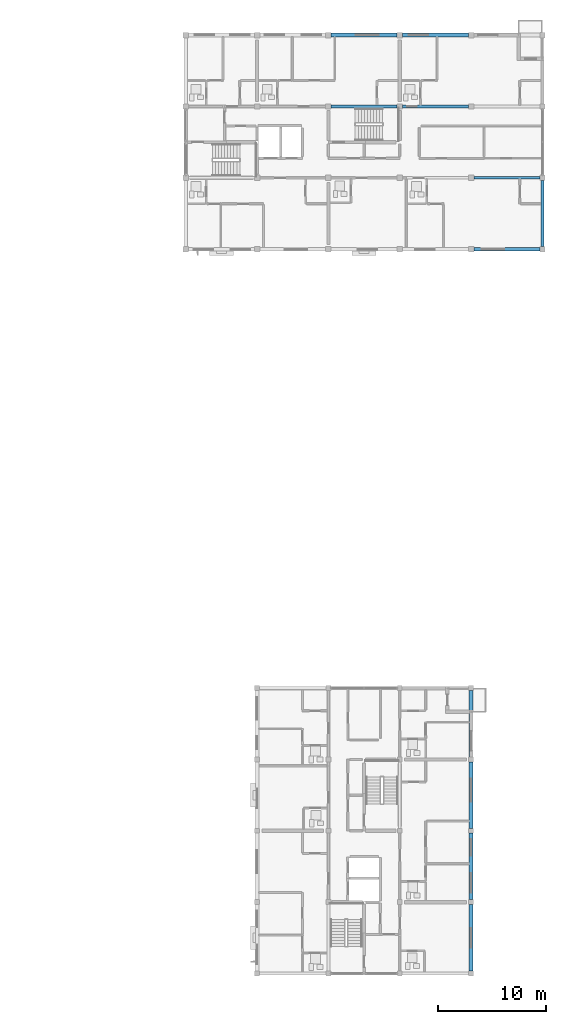
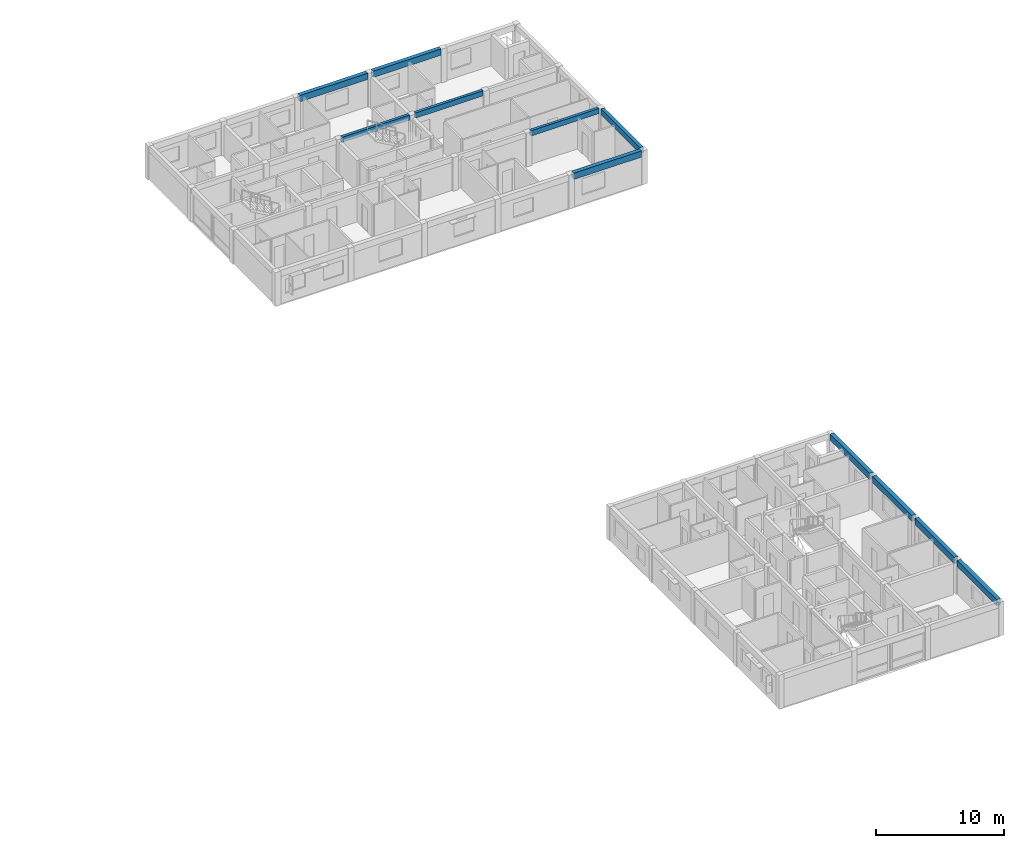
# One storey, part 22 of 53: 11 beams.
"""IFC4 building model written with IfcOpenShell, lengths in metres."""

import ifcopenshell
import ifcopenshell.guid

model = None  # the IFC model being written
_history = None  # IfcOwnerHistory: only IFC2X3 demands one
_inside = {}  # id of a spatial element -> (the spatial element, [elements in it])
_under = {}  # id of a project, library or spatial element -> (it, [spatial elements below it])
_declared = {}  # id of a project -> (the project, [libraries it declares])
_typed = {}  # id of a type object -> (the type object, [elements of that type])
_made_of = {}  # id of a material, layer set ... -> (it, [elements and type objects made of it])


def new_model(schema):
    """Start an empty IFC model of exactly this schema.

    Asked for "IFC4X3", IfcOpenShell would pick the latest addendum, in which some entities
    have other attributes; the version numbers below select the first issue.
    IFC2X3 requires an IfcOwnerHistory on every rooted entity: one is made here for all.
    """
    global model, _history
    if schema == "IFC4X3":
        model = ifcopenshell.file(schema_version=(4, 3, 0, 0))
    else:
        model = ifcopenshell.file(schema=schema)
    _inside.clear()
    _under.clear()
    _declared.clear()
    _typed.clear()
    _made_of.clear()
    _history = None
    if model.schema == "IFC2X3":
        org = make("IfcOrganization", Name="unknown")
        user = make(
            "IfcPersonAndOrganization",
            ThePerson=make("IfcPerson", FamilyName="unknown"),
            TheOrganization=org,
        )
        app = make(
            "IfcApplication",
            ApplicationDeveloper=org,
            Version="unknown",
            ApplicationFullName="unknown",
            ApplicationIdentifier="unknown",
        )
        _history = make(
            "IfcOwnerHistory",
            OwningUser=user,
            OwningApplication=app,
            ChangeAction="ADDED",
            CreationDate=0,
        )
    return model


def make(cls, **values):
    """One entity of the class cls with the attributes given. An attribute that is None is left unset."""
    return model.create_entity(
        cls, **{name: value for name, value in values.items() if value is not None}
    )


def rooted(cls, **values):
    """An entity with a GlobalId (a new one), such as an element, a storey or a relation."""
    return make(cls, GlobalId=ifcopenshell.guid.new(), OwnerHistory=_history, **values)


def si_unit(unit_type, name, prefix=None):
    """IfcSIUnit, for example si_unit("LENGTHUNIT", "METRE", prefix="MILLI")."""
    return make("IfcSIUnit", UnitType=unit_type, Prefix=prefix, Name=name)


def assignment(units):
    """IfcUnitAssignment: the units of a project."""
    return None if units is None else make("IfcUnitAssignment", Units=units)


def point(xyz):
    """IfcCartesianPoint."""
    return None if xyz is None else make("IfcCartesianPoint", Coordinates=xyz)


def direction(xyz):
    """IfcDirection."""
    return None if xyz is None else make("IfcDirection", DirectionRatios=xyz)


def frame(location, z_axis=None, x_axis=None):
    """IfcAxis2Placement3D, a coordinate frame: its origin and axes. An axis left out is left unset."""
    return make(
        "IfcAxis2Placement3D",
        Location=point(location),
        Axis=direction(z_axis),
        RefDirection=direction(x_axis),
    )


def frame_2d(location, x_axis=None):
    """IfcAxis2Placement2D, a coordinate frame in the plane: its origin and x axis."""
    return make(
        "IfcAxis2Placement2D", Location=point(location), RefDirection=direction(x_axis)
    )


def origin():
    """The frame at (0, 0, 0) with its axes left unset."""
    return frame((0.0, 0.0, 0.0))


def origin_2d():
    """The frame at (0, 0) in the plane with its x axis left unset."""
    return frame_2d((0.0, 0.0))


def place(relative_to, where):
    """IfcLocalPlacement: puts the frame where relative to a parent placement (None: the world)."""
    return make(
        "IfcLocalPlacement", PlacementRelTo=relative_to, RelativePlacement=where
    )


def context(
    kind, dimensions, precision=None, world=None, true_north=None, identifier=None
):
    """IfcGeometricRepresentationContext, for example the 3D "Model" context."""
    return make(
        "IfcGeometricRepresentationContext",
        ContextIdentifier=identifier,
        ContextType=kind,
        CoordinateSpaceDimension=dimensions,
        Precision=precision,
        WorldCoordinateSystem=world,
        TrueNorth=true_north,
    )


def subcontext(parent, identifier, kind, view, scale=None):
    """IfcGeometricRepresentationSubContext, for example "Body" below "Model"."""
    return make(
        "IfcGeometricRepresentationSubContext",
        ContextIdentifier=identifier,
        ContextType=kind,
        ParentContext=parent,
        TargetScale=scale,
        TargetView=view,
    )


def project(units=None, contexts=None):
    """IfcProject with its units and contexts."""
    return rooted(
        "IfcProject",
        Name="project",
        RepresentationContexts=contexts,
        UnitsInContext=assignment(units),
    )


def spatial(cls, under=None, at=None, **own):
    """A site, building, storey or space (cls), placed at a placement, below another one or the project."""
    s = rooted(cls, ObjectPlacement=at, **own)
    if under is not None:
        _under.setdefault(under.id(), (under, []))[1].append(s)
    return s


def profile(cls, at=None, kind="AREA", **sizes):
    """A parametric profile (cls). Its sizes go by their IFC names, for example OverallWidth=200.0."""
    return make(cls, ProfileType=kind, Position=at, **sizes)


def rectangle(**sizes):
    """IfcRectangleProfileDef."""
    return profile("IfcRectangleProfileDef", **sizes)


def extrude(swept, where, along, depth):
    """IfcExtrudedAreaSolid: the profile swept, set in the frame where, extruded along a direction by depth."""
    return make(
        "IfcExtrudedAreaSolid",
        SweptArea=swept,
        Position=where,
        ExtrudedDirection=direction(along),
        Depth=depth,
    )


def shape(context_of_items, identifier, shape_type, items):
    """IfcShapeRepresentation: the items that make up one representation, for example the "Body"."""
    return make(
        "IfcShapeRepresentation",
        ContextOfItems=context_of_items,
        RepresentationIdentifier=identifier,
        RepresentationType=shape_type,
        Items=items,
    )


def material(Name=None, Category=None):
    """IfcMaterial."""
    return make("IfcMaterial", Name=Name, Category=Category)


def material_profile(
    of_material, cross_section, Name=None, Category=None, Priority=None
):
    """IfcMaterialProfile: a cross section and its material."""
    return make(
        "IfcMaterialProfile",
        Name=Name,
        Material=of_material,
        Profile=cross_section,
        Priority=Priority,
        Category=Category,
    )


def profile_set(profiles, Name=None, composite=None):
    """IfcMaterialProfileSet."""
    return make(
        "IfcMaterialProfileSet",
        Name=Name,
        MaterialProfiles=profiles,
        CompositeProfile=composite,
    )


def made_of(thing, what):
    """Note that an element or type object is made of a material, layer set ...; save() writes the relation."""
    if what is not None:
        _made_of.setdefault(what.id(), (what, []))[1].append(thing)
    return thing


def type_object(cls, material=None, **own):
    """A type object (cls), such as IfcWallType, which elements share."""
    return made_of(rooted(cls, **own), material)


def element(
    cls,
    number,
    at=None,
    inside=None,
    cuts=None,
    type_object=None,
    material=None,
    context=None,
    identifier="Body",
    shape_type=None,
    held_by="IfcProductDefinitionShape",
    body=None,
    shapes=None,
    **own,
):
    """One element of the class cls, such as IfcWall. Its Tag is "e" and its number.

    at: its placement. inside: the storey or other place that contains it. cuts: it is an
    opening in that element (IfcRelVoidsElement). A single representation is given by context,
    identifier, shape_type and body (its items); several are given by shapes. held_by: the class
    of the entity that holds the representations. save() writes the other relations.
    """
    e = rooted(cls, Tag="e%d" % number, ObjectPlacement=at, **own)
    if body is not None:
        shapes = [shape(context, identifier, shape_type, body)]
    if shapes is not None:
        e.Representation = make(held_by, Representations=shapes)
    if inside is not None:
        _inside.setdefault(inside.id(), (inside, []))[1].append(e)
    if cuts is not None:
        rooted(
            "IfcRelVoidsElement", RelatingBuildingElement=cuts, RelatedOpeningElement=e
        )
    if type_object is not None:
        _typed.setdefault(type_object.id(), (type_object, []))[1].append(e)
    return made_of(e, material)


def aggregate(whole, parts):
    """IfcRelAggregates: a whole, such as a stair, and the parts it consists of."""
    return rooted("IfcRelAggregates", RelatingObject=whole, RelatedObjects=parts)


def save(model, path):
    """Write the relations noted so far, then the file.

    IfcRelAggregates (storeys below a building ...), IfcRelContainedInSpatialStructure (elements
    in a storey), IfcRelDefinesByType, IfcRelAssociatesMaterial and IfcRelDeclares: one each for
    every whole, place, type object, material and project.
    """
    for whole, parts in _under.values():
        aggregate(whole, parts)
    for where, things in _inside.values():
        rooted(
            "IfcRelContainedInSpatialStructure",
            RelatedElements=things,
            RelatingStructure=where,
        )
    for kind, things in _typed.values():
        rooted("IfcRelDefinesByType", RelatedObjects=things, RelatingType=kind)
    for what, things in _made_of.values():
        rooted("IfcRelAssociatesMaterial", RelatedObjects=things, RelatingMaterial=what)
    for by, libraries in _declared.values():
        rooted("IfcRelDeclares", RelatingContext=by, RelatedDefinitions=libraries)
    model.write(path)


model = new_model("IFC4")

# Units and contexts
model_context = context("Model", 3, precision=1e-05, world=origin(), true_north=direction((0.0, 1.0)))
body_context = subcontext(model_context, "Body", "Model", "MODEL_VIEW")
ifc_project = project(units=[si_unit("LENGTHUNIT", "METRE"), si_unit("AREAUNIT", "SQUARE_METRE"), si_unit("VOLUMEUNIT", "CUBIC_METRE"), si_unit("PLANEANGLEUNIT", "RADIAN"), si_unit("MASSUNIT", "GRAM", prefix="KILO")], contexts=[model_context])

# Site, building, storey
site_placement = place(None, origin())
site = spatial("IfcSite", under=ifc_project, at=site_placement, CompositionType="ELEMENT")
building_placement = place(site_placement, origin())
building = spatial("IfcBuilding", under=site, at=building_placement, Name="Kernevlak Ridge Housing Community", CompositionType="ELEMENT")
storey_placement = place(building_placement, frame((0.0, 0.0, 24.39990234375)))
storey = spatial("IfcBuildingStorey", under=building, at=storey_placement, Name="L07", CompositionType="ELEMENT", Elevation=24.39990234375)

# Beams
ifc_material = material(Name="Concrete C35/45", Category="concrete")
ifc_material_profile_1 = material_profile(ifc_material, rectangle(XDim=0.25, YDim=0.5, at=origin_2d()), Name="RC 250x500")
ifc_profile_set_1 = profile_set([ifc_material_profile_1], Name="Concrete C35/45")
beam_type_1 = type_object("IfcBeamType", Name="B-06", PredefinedType="T_BEAM", material=ifc_profile_set_1)
for number, where, z_axis, x_axis, name in (
    (1, (146.050048828125, 89.199951171875, 2.9501953125), (1.0, 0.0, 0.0), (0.0, 1.0, 0.0), "Beam B-06 L07 768"),
    (2, (132.85009765625, 95.800048828125, 2.9501953125), (1.0, 0.0, 0.0), (0.0, 1.0, 0.0), "Beam B-06 L07 771"),
):
    element("IfcBeam", number, at=place(storey_placement, frame(where, z_axis=z_axis, x_axis=x_axis)), inside=storey, type_object=beam_type_1, Name=name, PredefinedType="T_BEAM", context=body_context, shape_type="SweptSolid", body=[
        extrude(rectangle(XDim=0.25, YDim=0.5, at=origin_2d()), origin(), (0.0, 0.0, 1.0), 6.099853515625),
    ])
beam_1_placement = place(storey_placement, frame((139.449951171875, 95.800048828125, 2.9501953125), z_axis=(1.0, 0.0, 0.0), x_axis=(0.0, 1.0, 0.0)))
element("IfcBeam", 3, at=beam_1_placement, inside=storey, type_object=beam_type_1, Name="Beam B-06 L07 772", PredefinedType="T_BEAM", context=body_context, shape_type="SweptSolid", body=[
    extrude(rectangle(XDim=0.25, YDim=0.5, at=origin_2d()), origin(), (0.0, 0.0, 1.0), 6.10009765625),
])
ifc_material_profile_2 = material_profile(ifc_material, rectangle(XDim=0.300048828125, YDim=0.550048828125, at=origin_2d()), Name="RC 300x550")
ifc_profile_set_2 = profile_set([ifc_material_profile_2], Name="Concrete C35/45")
beam_type_2 = type_object("IfcBeamType", Name="SP-01", PredefinedType="SPANDREL", material=ifc_profile_set_2)
beam_2_placement = place(storey_placement, frame((152.39990234375, 82.85009765625, 2.925048828125), z_axis=(0.0, 1.0, 0.0), x_axis=(-1.0, 0.0, 0.0)))
element("IfcBeam", 4, at=beam_2_placement, inside=storey, type_object=beam_type_2, Name="Beam SP-01 L07 782", PredefinedType="SPANDREL", context=body_context, shape_type="SweptSolid", body=[
    extrude(rectangle(XDim=0.300048828125, YDim=0.550048828125, at=origin_2d()), origin(), (0.0, 0.0, 1.0), 6.099853515625),
])
ifc_material_profile_3 = material_profile(ifc_material, rectangle(XDim=0.35009765625, YDim=0.60009765625, at=origin_2d()), Name="RC 350x600")
ifc_profile_set_3 = profile_set([ifc_material_profile_3], Name="Concrete C35/45")
beam_type_3 = type_object("IfcBeamType", Name="SP-03", PredefinedType="SPANDREL", material=ifc_profile_set_3)
for number, where, z_axis, x_axis, name in (
    (5, (146.050048828125, 82.60009765625, 2.900146484375), (1.0, 0.0, 0.0), (0.0, 1.0, 0.0), "Beam SP-03 L07 763"),
    (6, (132.85009765625, 102.39990234375, 2.900146484375), (1.0, 0.0, 0.0), (0.0, 1.0, 0.0), "Beam SP-03 L07 776"),
):
    element("IfcBeam", number, at=place(storey_placement, frame(where, z_axis=z_axis, x_axis=x_axis)), inside=storey, type_object=beam_type_3, Name=name, PredefinedType="SPANDREL", context=body_context, shape_type="SweptSolid", body=[
        extrude(rectangle(XDim=0.35009765625, YDim=0.60009765625, at=origin_2d()), origin(), (0.0, 0.0, 1.0), 6.099853515625),
    ])
beam_3_placement = place(storey_placement, frame((139.449951171875, 102.39990234375, 2.900146484375), z_axis=(1.0, 0.0, 0.0), x_axis=(0.0, 1.0, 0.0)))
element("IfcBeam", 7, at=beam_3_placement, inside=storey, type_object=beam_type_3, Name="Beam SP-03 L07 777", PredefinedType="SPANDREL", context=body_context, shape_type="SweptSolid", body=[
    extrude(rectangle(XDim=0.35009765625, YDim=0.60009765625, at=origin_2d()), origin(), (0.0, 0.0, 1.0), 6.10009765625),
])
beam_4_placement = place(storey_placement, frame((145.800048828125, 15.824951171875, 2.900146484375), z_axis=(0.0, 1.0, 0.0), x_axis=(-1.0, 0.0, 0.0)))
element("IfcBeam", 8, at=beam_4_placement, inside=storey, type_object=beam_type_3, Name="Beam SP-03 L07 1168", PredefinedType="SPANDREL", context=body_context, shape_type="SweptSolid", body=[
    extrude(rectangle(XDim=0.35009765625, YDim=0.60009765625, at=origin_2d()), origin(), (0.0, 0.0, 1.0), 6.150146484375),
])
beam_5_placement = place(storey_placement, frame((145.800048828125, 22.425048828125, 2.900146484375), z_axis=(0.0, 1.0, 0.0), x_axis=(-1.0, 0.0, 0.0)))
element("IfcBeam", 9, at=beam_5_placement, inside=storey, type_object=beam_type_3, Name="Beam SP-03 L07 1169", PredefinedType="SPANDREL", context=body_context, shape_type="SweptSolid", body=[
    extrude(rectangle(XDim=0.35009765625, YDim=0.60009765625, at=origin_2d()), origin(), (0.0, 0.0, 1.0), 6.14990234375),
])
beam_6_placement = place(storey_placement, frame((145.800048828125, 29.02490234375, 2.900146484375), z_axis=(0.0, 1.0, 0.0), x_axis=(-1.0, 0.0, 0.0)))
element("IfcBeam", 10, at=beam_6_placement, inside=storey, type_object=beam_type_3, Name="Beam SP-03 L07 1170", PredefinedType="SPANDREL", context=body_context, shape_type="SweptSolid", body=[
    extrude(rectangle(XDim=0.35009765625, YDim=0.60009765625, at=origin_2d()), origin(), (0.0, 0.0, 1.0), 6.150146484375),
])
beam_7_placement = place(storey_placement, frame((145.800048828125, 35.625, 2.900146484375), z_axis=(0.0, 1.0, 0.0), x_axis=(-1.0, 0.0, 0.0)))
element("IfcBeam", 11, at=beam_7_placement, inside=storey, type_object=beam_type_3, Name="Beam SP-03 L07 1171", PredefinedType="SPANDREL", context=body_context, shape_type="SweptSolid", body=[
    extrude(rectangle(XDim=0.35009765625, YDim=0.60009765625, at=origin_2d()), origin(), (0.0, 0.0, 1.0), 6.14990234375),
])

save(model, "model.ifc")
